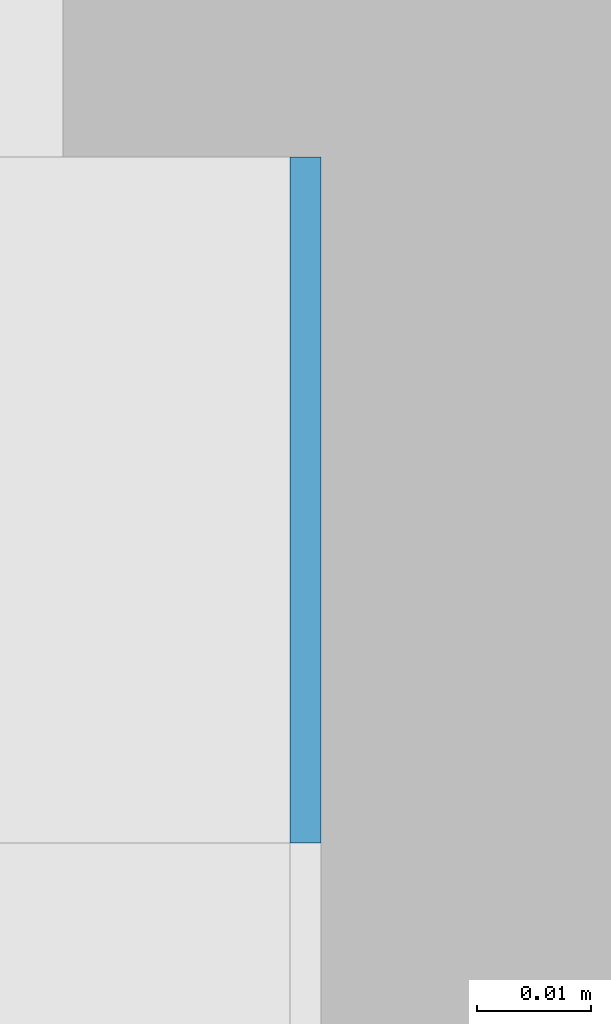
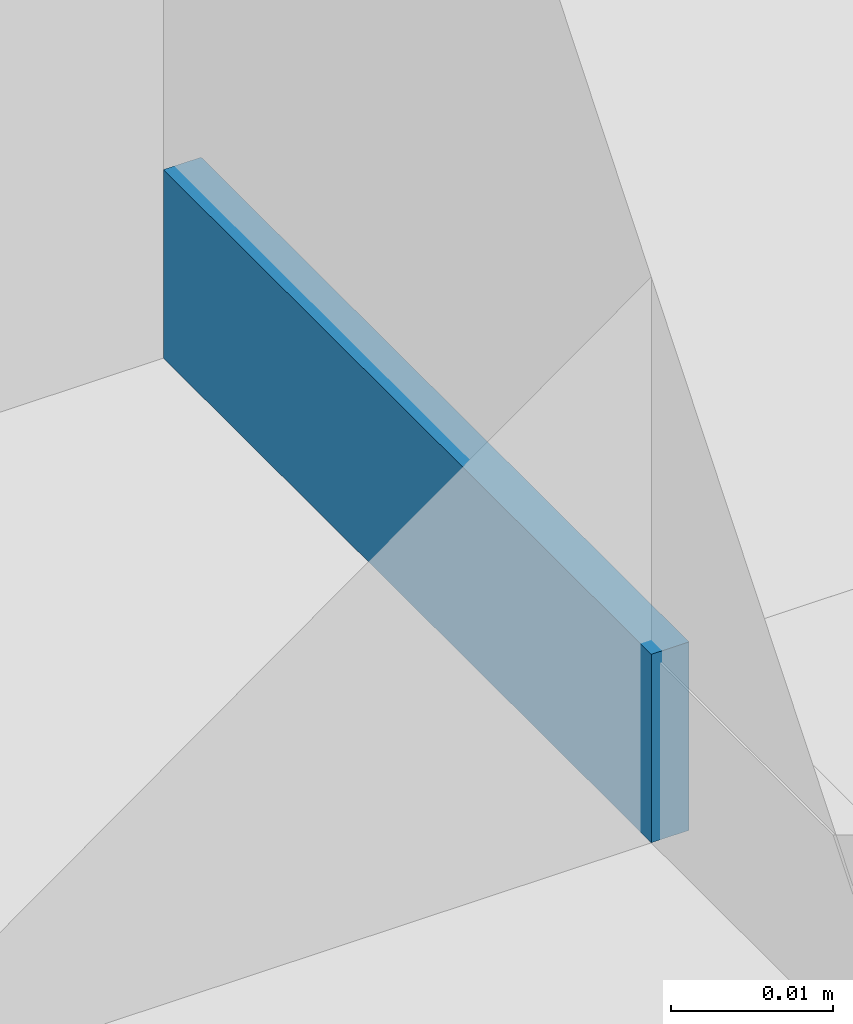
# One storey, part 414 of 646: 1 discrete accessory.
"""IFC4 building model written with IfcOpenShell, lengths in metres."""

from ifc_helpers import new_model, si_unit, direction, frame, origin, origin_2d, place, context, subcontext, project, spatial, rectangle, extrude, material, type_object, element, save


model = new_model("IFC4")

# Units and contexts
model_context = context("Model", 3, precision=1e-05, world=origin(), true_north=direction((0.0, 1.0)))
body_context = subcontext(model_context, "Body", "Model", "MODEL_VIEW")
ifc_project = project(units=[si_unit("LENGTHUNIT", "METRE"), si_unit("AREAUNIT", "SQUARE_METRE"), si_unit("VOLUMEUNIT", "CUBIC_METRE"), si_unit("PLANEANGLEUNIT", "RADIAN"), si_unit("MASSUNIT", "GRAM", prefix="KILO")], contexts=[model_context])

# Site, building, storey
site_placement = place(None, origin())
site = spatial("IfcSite", under=ifc_project, at=site_placement, CompositionType="ELEMENT")
building_placement = place(site_placement, origin())
building = spatial("IfcBuilding", under=site, at=building_placement, Name="Silverbay Arena", CompositionType="ELEMENT")
storey_placement = place(building_placement, frame((0.0, 0.0, 33.5)))
storey = spatial("IfcBuildingStorey", under=building, at=storey_placement, Name="L05", CompositionType="ELEMENT", Elevation=33.5)

# Discrete accessory
ifc_material = material(Name="Steel S355", Category="steel")
discrete_accessory_type = type_object("IfcDiscreteAccessoryType", Name="Steel bracket plate", PredefinedType="BRACKET", material=ifc_material)
discrete_accessory_placement = place(storey_placement, frame((53.871337890625, 126.030029296875, 4.0), z_axis=(0.0, 0.0, 1.0), x_axis=(1.0, 0.0, 0.0)))
element("IfcDiscreteAccessory", 1, at=discrete_accessory_placement, inside=storey, type_object=discrete_accessory_type, Name="Curtain wall packing plate", PredefinedType="BRACKET", context=body_context, shape_type="SweptSolid", body=[
    extrude(rectangle(XDim=0.002685546875, YDim=0.06005859375, at=origin_2d()), origin(), (0.0, 0.0, 1.0), 0.01416015625),
])

save(model, "model.ifc")
